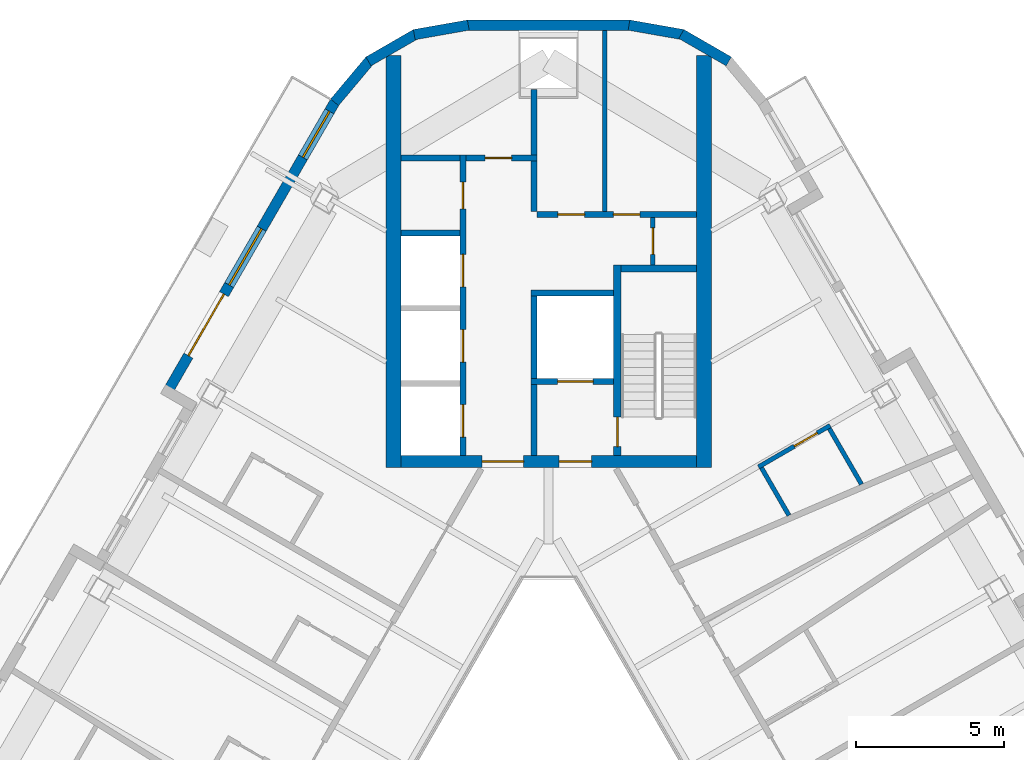
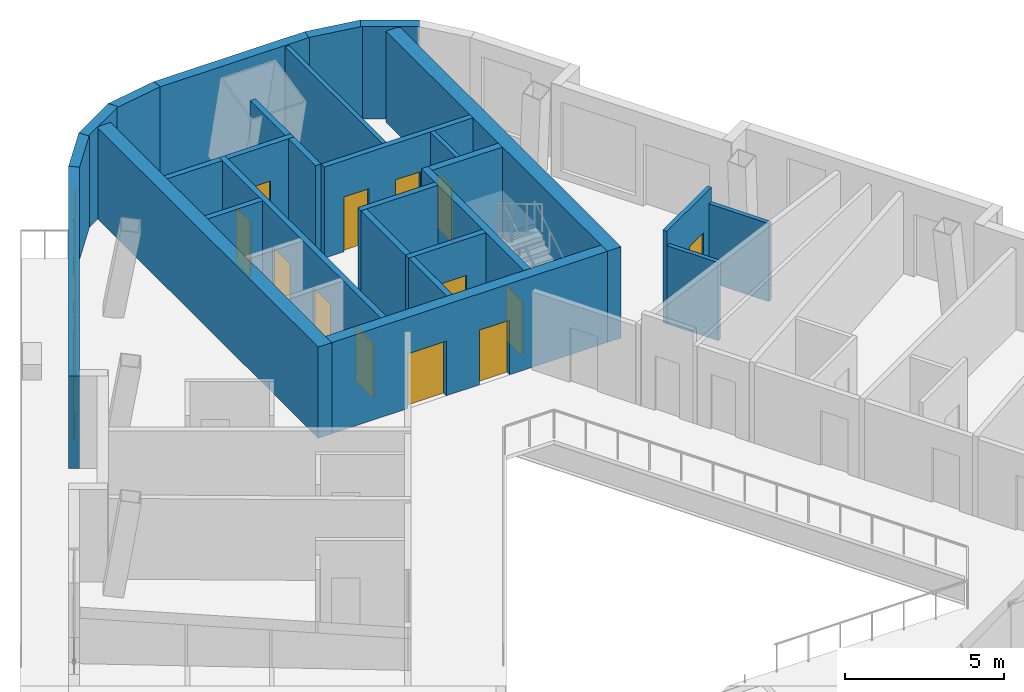
# One storey, part 7 of 14: 28 walls, 14 doors, 2 windows, 16 openings.
"""IFC4 building model written with IfcOpenShell, lengths in metres."""

from ifc_helpers import new_model, si_unit, direction, frame, frame_2d, origin, place, context, subcontext, project, spatial, rectangle, extrude, material, layer, layer_set, type_object, element, fill, save


model = new_model("IFC4")

# Units and contexts
model_context = context("Model", 3, precision=1e-05, world=origin(), true_north=direction((0.0, 1.0)))
body_context = subcontext(model_context, "Body", "Model", "MODEL_VIEW")
ifc_project = project(units=[si_unit("LENGTHUNIT", "METRE"), si_unit("AREAUNIT", "SQUARE_METRE"), si_unit("VOLUMEUNIT", "CUBIC_METRE"), si_unit("PLANEANGLEUNIT", "RADIAN"), si_unit("MASSUNIT", "GRAM", prefix="KILO")], contexts=[model_context])

# Site, building, storey
site_placement = place(None, origin())
site = spatial("IfcSite", under=ifc_project, at=site_placement, CompositionType="ELEMENT")
building_placement = place(site_placement, origin())
building = spatial("IfcBuilding", under=site, at=building_placement, Name="Apuvela Tower Hotel", CompositionType="ELEMENT")
storey_placement = place(building_placement, frame((0.0, 0.0, 265.199951171875)))
storey = spatial("IfcBuildingStorey", under=building, at=storey_placement, Name="L65", CompositionType="ELEMENT", Elevation=265.199951171875)

# Wall, openings, doors
ifc_material_1 = material(Name="Concrete C50/60", Category="concrete")
ifc_layer_1 = layer(ifc_material_1, 0.39990234375)
ifc_layer_set_1 = layer_set([ifc_layer_1], Name="COR-WALL-CORE-400")
wall_type_1 = type_object("IfcWallType", Name="COR-WALL-CORE-400", PredefinedType="SHEAR", material=ifc_layer_set_1)
wall_1_placement = place(storey_placement, frame((5.0, 13.10009765625, 0.0), z_axis=(0.0, 0.0, 1.0), x_axis=(-1.0, 0.0, 0.0)))
wall_1 = element("IfcWall", 1, at=wall_1_placement, inside=storey, type_object=wall_type_1, Name="Core wall N", PredefinedType="SHEAR", context=body_context, shape_type="SweptSolid", body=[
    extrude(rectangle(XDim=10.0, YDim=0.39990234375, at=frame_2d((5.0, 0.0))), origin(), (0.0, 0.0, 1.0), 3.5),
])
opening_1_placement = place(wall_1_placement, frame((3.550048828125, 0.0, 0.0)))
opening_1 = element("IfcOpeningElement", 2, at=opening_1_placement, cuts=wall_1, Name="Opening N-FD", PredefinedType="OPENING", context=body_context, shape_type="SweptSolid", body=[
    extrude(rectangle(XDim=1.10009765625, YDim=2.10009765625, at=frame_2d((0.550048828125, 1.050048828125))), frame((0.0, 0.2099609375, 0.0), z_axis=(0.0, -1.0, 0.0), x_axis=(1.0, 0.0, 0.0)), (0.0, 0.0, 1.0), 0.419921875),
])
opening_2_placement = place(wall_1_placement, frame((5.85009765625, 0.0, 0.0)))
opening_2 = element("IfcOpeningElement", 3, at=opening_2_placement, cuts=wall_1, Name="Opening N-GD", PredefinedType="OPENING", context=body_context, shape_type="SweptSolid", body=[
    extrude(rectangle(XDim=1.39990234375, YDim=2.10009765625, at=frame_2d((0.699951171875, 1.050048828125))), frame((0.0, 0.2099609375, 0.0), z_axis=(0.0, -1.0, 0.0), x_axis=(1.0, 0.0, 0.0)), (0.0, 0.0, 1.0), 0.419921875),
])
ifc_material_2 = material(Name="Steel fire door, powder coated", Category="steel")
door_type_1 = type_object("IfcDoorType", Name="COR-FD-1100", OperationType="NOTDEFINED", PredefinedType="DOOR", material=ifc_material_2)
door_1_placement = place(opening_1_placement, frame((1.10009765625, 0.0, 0.0), z_axis=(0.0, 0.0, 1.0), x_axis=(-1.0, 0.0, 0.0)))
door_1 = element("IfcDoor", 4, at=door_1_placement, inside=storey, type_object=door_type_1, Name="Firefighting lobby door N-FD", OperationType="SINGLE_SWING_LEFT", OverallHeight=2.10009765625, OverallWidth=1.10009765625, PredefinedType="DOOR", context=body_context, shape_type="SweptSolid", body=[
    extrude(rectangle(XDim=1.10009765625, YDim=2.10009765625, at=frame_2d((0.550048828125, 1.050048828125))), frame((0.0, 0.02490234375, 0.0), z_axis=(0.0, -1.0, 0.0), x_axis=(1.0, 0.0, 0.0)), (0.0, 0.0, 1.0), 0.050048828125),
])
fill(opening_1, door_1)
ifc_material_3 = material(Name="Glazed steel fire door", Category="steel")
door_type_2 = type_object("IfcDoorType", Name="COR-GD-1400", OperationType="DOUBLE_DOOR_SINGLE_SWING", PredefinedType="DOOR", material=ifc_material_3)
door_2_placement = place(opening_2_placement, frame((1.39990234375, 0.0, 0.0), z_axis=(0.0, 0.0, 1.0), x_axis=(-1.0, 0.0, 0.0)))
door_2 = element("IfcDoor", 5, at=door_2_placement, inside=storey, type_object=door_type_2, Name="Lift lobby door N-GD", OperationType="DOUBLE_DOOR_SINGLE_SWING", OverallHeight=2.10009765625, OverallWidth=1.39990234375, PredefinedType="DOOR", context=body_context, shape_type="SweptSolid", body=[
    extrude(rectangle(XDim=1.39990234375, YDim=2.10009765625, at=frame_2d((0.699951171875, 1.050048828125))), frame((0.0, 0.02490234375, 0.0), z_axis=(0.0, -1.0, 0.0), x_axis=(1.0, 0.0, 0.0)), (0.0, 0.0, 1.0), 0.050048828125),
])
fill(opening_2, door_2)

# Walls
ifc_layer_2 = layer(ifc_material_1, 0.5)
ifc_layer_set_2 = layer_set([ifc_layer_2], Name="COR-WALL-CORE-500")
wall_type_2 = type_object("IfcWallType", Name="COR-WALL-CORE-500", PredefinedType="SHEAR", material=ifc_layer_set_2)
for number, where, z_axis, x_axis, name in (
    (6, (5.25, 12.89990234375, 0.0), (0.0, 0.0, 1.0), (0.0, 1.0, 0.0), "Core wall N"),
    (7, (-5.25, 12.89990234375, 0.0), (0.0, 0.0, 1.0), (0.0, 1.0, 0.0), "Core wall N"),
):
    element("IfcWall", number, at=place(storey_placement, frame(where, z_axis=z_axis, x_axis=x_axis)), inside=storey, type_object=wall_type_2, Name=name, PredefinedType="SHEAR", context=body_context, shape_type="SweptSolid", body=[
        extrude(rectangle(XDim=13.93408203125, YDim=0.5, at=frame_2d((6.967041015625, 0.0))), origin(), (0.0, 0.0, 1.0), 3.5),
    ])

# Wall, opening, door
ifc_material_4 = material(Name="Blockwork 150 mm plastered", Category="masonry")
ifc_layer_3 = layer(ifc_material_4, 0.14990234375)
ifc_layer_set_3 = layer_set([ifc_layer_3], Name="COR-WALL-PART-150")
wall_type_3 = type_object("IfcWallType", Name="COR-WALL-PART-150", PredefinedType="PARTITIONING", material=ifc_layer_set_3)
wall_2_placement = place(storey_placement, frame((3.52490234375, 19.75, 0.0), z_axis=(0.0, 0.0, 1.0), x_axis=(0.0, 1.0, 0.0)))
wall_2 = element("IfcWall", 8, at=wall_2_placement, inside=storey, type_object=wall_type_3, Name="Partition N", PredefinedType="PARTITIONING", context=body_context, shape_type="SweptSolid", body=[
    extrude(rectangle(XDim=1.60009765625, YDim=0.14990234375, at=frame_2d((0.800048828125, 0.0))), origin(), (0.0, 0.0, 1.0), 3.5),
])
opening_3_placement = place(wall_2_placement, frame((0.35009765625, 0.0, 0.0)))
opening_3 = element("IfcOpeningElement", 9, at=opening_3_placement, cuts=wall_2, Name="Opening N-RD", PredefinedType="OPENING", context=body_context, shape_type="SweptSolid", body=[
    extrude(rectangle(XDim=0.89990234375, YDim=2.10009765625, at=frame_2d((0.449951171875, 1.050048828125))), frame((0.0, 0.0849609375, 0.0), z_axis=(0.0, -1.0, 0.0), x_axis=(1.0, 0.0, 0.0)), (0.0, 0.0, 1.0), 0.169921875),
])
ifc_material_5 = material(Name="Steel access door, powder coated", Category="steel")
door_type_3 = type_object("IfcDoorType", Name="COR-RD-900", OperationType="NOTDEFINED", PredefinedType="DOOR", material=ifc_material_5)
door_3_placement = place(opening_3_placement, frame((0.89990234375, 0.0, 0.0), z_axis=(0.0, 0.0, 1.0), x_axis=(-1.0, 0.0, 0.0)))
door_3 = element("IfcDoor", 10, at=door_3_placement, inside=storey, type_object=door_type_3, Name="Riser door N-RD", OperationType="SINGLE_SWING_RIGHT", OverallHeight=2.10009765625, OverallWidth=0.89990234375, PredefinedType="DOOR", context=body_context, shape_type="SweptSolid", body=[
    extrude(rectangle(XDim=0.89990234375, YDim=2.10009765625, at=frame_2d((0.449951171875, 1.050048828125))), frame((0.0, 0.02490234375, 0.0), z_axis=(0.0, -1.0, 0.0), x_axis=(1.0, 0.0, 0.0)), (0.0, 0.0, 1.0), 0.050048828125),
])
fill(opening_3, door_3)

# Wall
wall_3_placement = place(storey_placement, frame((1.89990234375, 21.550048828125, 0.0), z_axis=(0.0, 0.0, 1.0), x_axis=(0.0, 1.0, 0.0)))
element("IfcWall", 11, at=wall_3_placement, inside=storey, type_object=wall_type_3, Name="Partition N", PredefinedType="PARTITIONING", context=body_context, shape_type="SweptSolid", body=[
    extrude(rectangle(XDim=6.126220703125, YDim=0.14990234375, at=frame_2d((3.06298828125, 0.0))), origin(), (0.0, 0.0, 1.0), 3.5),
])

# Wall, openings, doors
ifc_material_6 = material(Name="Blockwork 200 mm plastered", Category="masonry")
ifc_layer_4 = layer(ifc_material_6, 0.199951171875)
ifc_layer_set_4 = layer_set([ifc_layer_4], Name="COR-WALL-PART-200")
wall_type_4 = type_object("IfcWallType", Name="COR-WALL-PART-200", PredefinedType="PARTITIONING", material=ifc_layer_set_4)
wall_4_placement = place(storey_placement, frame((5.0, 21.449951171875, 0.0), z_axis=(0.0, 0.0, 1.0), x_axis=(-1.0, 0.0, 0.0)))
wall_4 = element("IfcWall", 12, at=wall_4_placement, inside=storey, type_object=wall_type_4, Name="Partition N", PredefinedType="PARTITIONING", context=body_context, shape_type="SweptSolid", body=[
    extrude(rectangle(XDim=5.39990234375, YDim=0.199951171875, at=frame_2d((2.699951171875, 0.0))), origin(), (0.0, 0.0, 1.0), 3.5),
])
opening_4_placement = place(wall_4_placement, frame((1.91259765625, 0.0, 0.0)))
opening_4 = element("IfcOpeningElement", 13, at=opening_4_placement, cuts=wall_4, Name="Opening N-RS1", PredefinedType="OPENING", context=body_context, shape_type="SweptSolid", body=[
    extrude(rectangle(XDim=0.89990234375, YDim=2.10009765625, at=frame_2d((0.449951171875, 1.050048828125))), frame((0.0, 0.10986328125, 0.0), z_axis=(0.0, -1.0, 0.0), x_axis=(1.0, 0.0, 0.0)), (0.0, 0.0, 1.0), 0.219970703125),
])
opening_5_placement = place(wall_4_placement, frame((3.78759765625, 0.0, 0.0)))
opening_5 = element("IfcOpeningElement", 14, at=opening_5_placement, cuts=wall_4, Name="Opening N-RS2", PredefinedType="OPENING", context=body_context, shape_type="SweptSolid", body=[
    extrude(rectangle(XDim=0.89990234375, YDim=2.10009765625, at=frame_2d((0.449951171875, 1.050048828125))), frame((0.0, 0.10986328125, 0.0), z_axis=(0.0, -1.0, 0.0), x_axis=(1.0, 0.0, 0.0)), (0.0, 0.0, 1.0), 0.219970703125),
])
door_type_4 = type_object("IfcDoorType", Name="COR-DR-900", OperationType="NOTDEFINED", PredefinedType="DOOR", material=ifc_material_2)
door_4_placement = place(opening_4_placement, frame((0.89990234375, 0.0, 0.0), z_axis=(0.0, 0.0, 1.0), x_axis=(-1.0, 0.0, 0.0)))
door_4 = element("IfcDoor", 15, at=door_4_placement, inside=storey, type_object=door_type_4, Name="Store door N-RS1", OperationType="SINGLE_SWING_LEFT", OverallHeight=2.10009765625, OverallWidth=0.89990234375, PredefinedType="DOOR", context=body_context, shape_type="SweptSolid", body=[
    extrude(rectangle(XDim=0.89990234375, YDim=2.10009765625, at=frame_2d((0.449951171875, 1.050048828125))), frame((0.0, 0.02490234375, 0.0), z_axis=(0.0, -1.0, 0.0), x_axis=(1.0, 0.0, 0.0)), (0.0, 0.0, 1.0), 0.050048828125),
])
fill(opening_4, door_4)
door_5_placement = place(opening_5_placement, frame((0.89990234375, 0.0, 0.0), z_axis=(0.0, 0.0, 1.0), x_axis=(-1.0, 0.0, 0.0)))
door_5 = element("IfcDoor", 16, at=door_5_placement, inside=storey, type_object=door_type_4, Name="Store door N-RS2", OperationType="SINGLE_SWING_RIGHT", OverallHeight=2.10009765625, OverallWidth=0.89990234375, PredefinedType="DOOR", context=body_context, shape_type="SweptSolid", body=[
    extrude(rectangle(XDim=0.89990234375, YDim=2.10009765625, at=frame_2d((0.449951171875, 1.050048828125))), frame((0.0, 0.02490234375, 0.0), z_axis=(0.0, -1.0, 0.0), x_axis=(1.0, 0.0, 0.0)), (0.0, 0.0, 1.0), 0.050048828125),
])
fill(opening_5, door_5)

# Wall
ifc_layer_5 = layer(ifc_material_1, 0.199951171875)
ifc_layer_set_5 = layer_set([ifc_layer_5], Name="COR-WALL-SHAFT-200")
wall_type_5 = type_object("IfcWallType", Name="COR-WALL-SHAFT-200", PredefinedType="SHEAR", material=ifc_layer_set_5)
wall_5_placement = place(storey_placement, frame((2.199951171875, 18.800048828125, 0.0), z_axis=(0.0, 0.0, 1.0), x_axis=(-1.0, 0.0, 0.0)))
element("IfcWall", 17, at=wall_5_placement, inside=storey, type_object=wall_type_5, Name="Shaft wall N", PredefinedType="SHEAR", context=body_context, shape_type="SweptSolid", body=[
    extrude(rectangle(XDim=2.800048828125, YDim=0.199951171875, at=frame_2d((1.39990234375, 0.0))), origin(), (0.0, 0.0, 1.0), 3.5),
])

# Wall, opening, door
wall_6_placement = place(storey_placement, frame((2.199951171875, 15.800048828125, 0.0), z_axis=(0.0, 0.0, 1.0), x_axis=(-1.0, 0.0, 0.0)))
wall_6 = element("IfcWall", 18, at=wall_6_placement, inside=storey, type_object=wall_type_5, Name="Shaft wall N", PredefinedType="SHEAR", context=body_context, shape_type="SweptSolid", body=[
    extrude(rectangle(XDim=2.800048828125, YDim=0.199951171875, at=frame_2d((1.39990234375, 0.0))), origin(), (0.0, 0.0, 1.0), 3.5),
])
opening_6_placement = place(wall_6_placement, frame((0.699951171875, 0.0, 0.0)))
opening_6 = element("IfcOpeningElement", 19, at=opening_6_placement, cuts=wall_6, Name="Opening N-LD-FS1", PredefinedType="OPENING", context=body_context, shape_type="SweptSolid", body=[
    extrude(rectangle(XDim=1.199951171875, YDim=2.10009765625, at=frame_2d((0.60009765625, 1.050048828125))), frame((0.0, 0.10986328125, 0.0), z_axis=(0.0, -1.0, 0.0), x_axis=(1.0, 0.0, 0.0)), (0.0, 0.0, 1.0), 0.219970703125),
])
ifc_material_7 = material(Name="Stainless steel lift landing door", Category="steel")
door_type_5 = type_object("IfcDoorType", Name="COR-LD-1200", OperationType="DOUBLE_DOOR_SLIDING", PredefinedType="DOOR", material=ifc_material_7)
door_6_placement = place(opening_6_placement, origin())
door_6 = element("IfcDoor", 20, at=door_6_placement, inside=storey, type_object=door_type_5, Name="Lift landing door N-LD-FS1", OperationType="DOUBLE_DOOR_SLIDING", OverallHeight=2.10009765625, OverallWidth=1.199951171875, PredefinedType="DOOR", context=body_context, shape_type="SweptSolid", body=[
    extrude(rectangle(XDim=1.199951171875, YDim=2.10009765625, at=frame_2d((0.60009765625, 1.050048828125))), frame((0.0, 0.02490234375, 0.0), z_axis=(0.0, -1.0, 0.0), x_axis=(1.0, 0.0, 0.0)), (0.0, 0.0, 1.0), 0.050048828125),
])
fill(opening_6, door_6)

# Walls
wall_7_placement = place(storey_placement, frame((-0.5, 15.89990234375, 0.0), z_axis=(0.0, 0.0, 1.0), x_axis=(0.0, 1.0, 0.0)))
element("IfcWall", 21, at=wall_7_placement, inside=storey, type_object=wall_type_5, Name="Shaft wall N", PredefinedType="SHEAR", context=body_context, shape_type="SweptSolid", body=[
    extrude(rectangle(XDim=2.800048828125, YDim=0.199951171875, at=frame_2d((1.39990234375, 0.0))), origin(), (0.0, 0.0, 1.0), 3.5),
])
wall_8_placement = place(storey_placement, frame((-0.5, 13.300048828125, 0.0), z_axis=(0.0, 0.0, 1.0), x_axis=(0.0, 1.0, 0.0)))
element("IfcWall", 22, at=wall_8_placement, inside=storey, type_object=wall_type_5, Name="Shaft wall N", PredefinedType="SHEAR", context=body_context, shape_type="SweptSolid", body=[
    extrude(rectangle(XDim=2.39990234375, YDim=0.199951171875, at=frame_2d((1.199951171875, 0.0))), origin(), (0.0, 0.0, 1.0), 3.5),
])

# Wall, openings, doors
wall_9_placement = place(storey_placement, frame((-2.89990234375, 13.300048828125, 0.0), z_axis=(0.0, 0.0, 1.0), x_axis=(0.0, 1.0, 0.0)))
wall_9 = element("IfcWall", 23, at=wall_9_placement, inside=storey, type_object=wall_type_5, Name="Shaft wall N", PredefinedType="SHEAR", context=body_context, shape_type="SweptSolid", body=[
    extrude(rectangle(XDim=10.159912109375, YDim=0.199951171875, at=frame_2d((5.080078125, 0.0))), origin(), (0.0, 0.0, 1.0), 3.5),
])
opening_7_placement = place(wall_9_placement, frame((0.6201171875, 0.0, 0.0)))
opening_7 = element("IfcOpeningElement", 24, at=opening_7_placement, cuts=wall_9, Name="Opening N-LD-HR1", PredefinedType="OPENING", context=body_context, shape_type="SweptSolid", body=[
    extrude(rectangle(XDim=1.10009765625, YDim=2.10009765625, at=frame_2d((0.550048828125, 1.050048828125))), frame((0.0, 0.10986328125, 0.0), z_axis=(0.0, -1.0, 0.0), x_axis=(1.0, 0.0, 0.0)), (0.0, 0.0, 1.0), 0.219970703125),
])
opening_8_placement = place(wall_9_placement, frame((3.159912109375, 0.0, 0.0)))
opening_8 = element("IfcOpeningElement", 25, at=opening_8_placement, cuts=wall_9, Name="Opening N-LD-HR2", PredefinedType="OPENING", context=body_context, shape_type="SweptSolid", body=[
    extrude(rectangle(XDim=1.10009765625, YDim=2.10009765625, at=frame_2d((0.550048828125, 1.050048828125))), frame((0.0, 0.10986328125, 0.0), z_axis=(0.0, -1.0, 0.0), x_axis=(1.0, 0.0, 0.0)), (0.0, 0.0, 1.0), 0.219970703125),
])
opening_9_placement = place(wall_9_placement, frame((5.699951171875, 0.0, 0.0)))
opening_9 = element("IfcOpeningElement", 26, at=opening_9_placement, cuts=wall_9, Name="Opening N-LD-HR4", PredefinedType="OPENING", context=body_context, shape_type="SweptSolid", body=[
    extrude(rectangle(XDim=1.10009765625, YDim=2.10009765625, at=frame_2d((0.550048828125, 1.050048828125))), frame((0.0, 0.10986328125, 0.0), z_axis=(0.0, -1.0, 0.0), x_axis=(1.0, 0.0, 0.0)), (0.0, 0.0, 1.0), 0.219970703125),
])
opening_10_placement = place(wall_9_placement, frame((8.340087890625, 0.0, 0.0)))
opening_10 = element("IfcOpeningElement", 27, at=opening_10_placement, cuts=wall_9, Name="Opening N-RE4", PredefinedType="OPENING", context=body_context, shape_type="SweptSolid", body=[
    extrude(rectangle(XDim=0.89990234375, YDim=2.10009765625, at=frame_2d((0.449951171875, 1.050048828125))), frame((0.0, 0.10986328125, 0.0), z_axis=(0.0, -1.0, 0.0), x_axis=(1.0, 0.0, 0.0)), (0.0, 0.0, 1.0), 0.219970703125),
])
door_7_placement = place(opening_10_placement, origin())
door_7 = element("IfcDoor", 28, at=door_7_placement, inside=storey, type_object=door_type_4, Name="Store door N-RE4", OperationType="SINGLE_SWING_LEFT", OverallHeight=2.10009765625, OverallWidth=0.89990234375, PredefinedType="DOOR", context=body_context, shape_type="SweptSolid", body=[
    extrude(rectangle(XDim=0.89990234375, YDim=2.10009765625, at=frame_2d((0.449951171875, 1.050048828125))), frame((0.0, 0.02490234375, 0.0), z_axis=(0.0, -1.0, 0.0), x_axis=(1.0, 0.0, 0.0)), (0.0, 0.0, 1.0), 0.050048828125),
])
fill(opening_10, door_7)
door_type_6 = type_object("IfcDoorType", Name="COR-LD-1100", OperationType="DOUBLE_DOOR_SLIDING", PredefinedType="DOOR", material=ifc_material_7)
door_8_placement = place(opening_7_placement, origin())
door_8 = element("IfcDoor", 29, at=door_8_placement, inside=storey, type_object=door_type_6, Name="Lift landing door N-LD-HR1", OperationType="DOUBLE_DOOR_SLIDING", OverallHeight=2.10009765625, OverallWidth=1.10009765625, PredefinedType="DOOR", context=body_context, shape_type="SweptSolid", body=[
    extrude(rectangle(XDim=1.10009765625, YDim=2.10009765625, at=frame_2d((0.550048828125, 1.050048828125))), frame((0.0, 0.02490234375, 0.0), z_axis=(0.0, -1.0, 0.0), x_axis=(1.0, 0.0, 0.0)), (0.0, 0.0, 1.0), 0.050048828125),
])
fill(opening_7, door_8)
door_9_placement = place(opening_8_placement, origin())
door_9 = element("IfcDoor", 30, at=door_9_placement, inside=storey, type_object=door_type_6, Name="Lift landing door N-LD-HR2", OperationType="DOUBLE_DOOR_SLIDING", OverallHeight=2.10009765625, OverallWidth=1.10009765625, PredefinedType="DOOR", context=body_context, shape_type="SweptSolid", body=[
    extrude(rectangle(XDim=1.10009765625, YDim=2.10009765625, at=frame_2d((0.550048828125, 1.050048828125))), frame((0.0, 0.02490234375, 0.0), z_axis=(0.0, -1.0, 0.0), x_axis=(1.0, 0.0, 0.0)), (0.0, 0.0, 1.0), 0.050048828125),
])
fill(opening_8, door_9)
door_10_placement = place(opening_9_placement, origin())
door_10 = element("IfcDoor", 31, at=door_10_placement, inside=storey, type_object=door_type_6, Name="Lift landing door N-LD-HR4", OperationType="DOUBLE_DOOR_SLIDING", OverallHeight=2.10009765625, OverallWidth=1.10009765625, PredefinedType="DOOR", context=body_context, shape_type="SweptSolid", body=[
    extrude(rectangle(XDim=1.10009765625, YDim=2.10009765625, at=frame_2d((0.550048828125, 1.050048828125))), frame((0.0, 0.02490234375, 0.0), z_axis=(0.0, -1.0, 0.0), x_axis=(1.0, 0.0, 0.0)), (0.0, 0.0, 1.0), 0.050048828125),
])
fill(opening_9, door_10)

# Wall, opening, door
wall_10_placement = place(storey_placement, frame((-0.39990234375, 23.360107421875, 0.0), z_axis=(0.0, 0.0, 1.0), x_axis=(-1.0, 0.0, 0.0)))
wall_10 = element("IfcWall", 32, at=wall_10_placement, inside=storey, type_object=wall_type_5, Name="Shaft wall N", PredefinedType="SHEAR", context=body_context, shape_type="SweptSolid", body=[
    extrude(rectangle(XDim=2.400146484375, YDim=0.199951171875, at=frame_2d((1.2001953125, 0.0))), origin(), (0.0, 0.0, 1.0), 3.5),
])
opening_11_placement = place(wall_10_placement, frame((0.85009765625, 0.0, 0.0)))
opening_11 = element("IfcOpeningElement", 33, at=opening_11_placement, cuts=wall_10, Name="Opening N-REP", PredefinedType="OPENING", context=body_context, shape_type="SweptSolid", body=[
    extrude(rectangle(XDim=0.89990234375, YDim=2.10009765625, at=frame_2d((0.449951171875, 1.050048828125))), frame((0.0, 0.10986328125, 0.0), z_axis=(0.0, -1.0, 0.0), x_axis=(1.0, 0.0, 0.0)), (0.0, 0.0, 1.0), 0.219970703125),
])
door_11_placement = place(opening_11_placement, frame((0.89990234375, 0.0, 0.0), z_axis=(0.0, 0.0, 1.0), x_axis=(-1.0, 0.0, 0.0)))
door_11 = element("IfcDoor", 34, at=door_11_placement, inside=storey, type_object=door_type_4, Name="Store door N-REP", OperationType="SINGLE_SWING_LEFT", OverallHeight=2.10009765625, OverallWidth=0.89990234375, PredefinedType="DOOR", context=body_context, shape_type="SweptSolid", body=[
    extrude(rectangle(XDim=0.89990234375, YDim=2.10009765625, at=frame_2d((0.449951171875, 1.050048828125))), frame((0.0, 0.02490234375, 0.0), z_axis=(0.0, -1.0, 0.0), x_axis=(1.0, 0.0, 0.0)), (0.0, 0.0, 1.0), 0.050048828125),
])
fill(opening_11, door_11)

# Walls
wall_11_placement = place(storey_placement, frame((-0.5, 21.550048828125, 0.0), z_axis=(0.0, 0.0, 1.0), x_axis=(0.0, 1.0, 0.0)))
element("IfcWall", 35, at=wall_11_placement, inside=storey, type_object=wall_type_5, Name="Shaft wall N", PredefinedType="SHEAR", context=body_context, shape_type="SweptSolid", body=[
    extrude(rectangle(XDim=1.7099609375, YDim=0.199951171875, at=frame_2d((0.85498046875, 0.0))), origin(), (0.0, 0.0, 1.0), 3.5),
])
for number, where, z_axis, x_axis, name in (
    (36, (-3.0, 20.820068359375, 0.0), (0.0, 0.0, 1.0), (-1.0, 0.0, 0.0), "Shaft wall N"),
    (37, (-3.0, 23.360107421875, 0.0), (0.0, 0.0, 1.0), (-1.0, 0.0, 0.0), "Shaft wall N"),
):
    element("IfcWall", number, at=place(storey_placement, frame(where, z_axis=z_axis, x_axis=x_axis)), inside=storey, type_object=wall_type_5, Name=name, PredefinedType="SHEAR", context=body_context, shape_type="SweptSolid", body=[
        extrude(rectangle(XDim=2.0, YDim=0.199951171875, at=frame_2d((1.0, 0.0))), origin(), (0.0, 0.0, 1.0), 3.5),
    ])
wall_12_placement = place(storey_placement, frame((-0.5, 23.4599609375, 0.0), z_axis=(0.0, 0.0, 1.0), x_axis=(0.0, 1.0, 0.0)))
element("IfcWall", 38, at=wall_12_placement, inside=storey, type_object=wall_type_5, Name="Shaft wall N", PredefinedType="SHEAR", context=body_context, shape_type="SweptSolid", body=[
    extrude(rectangle(XDim=2.21630859375, YDim=0.199951171875, at=frame_2d((1.108154296875, 0.0))), origin(), (0.0, 0.0, 1.0), 3.5),
])

# Wall, opening, door
ifc_layer_6 = layer(ifc_material_1, 0.25)
ifc_layer_set_6 = layer_set([ifc_layer_6], Name="COR-WALL-STAIR-250")
wall_type_6 = type_object("IfcWallType", Name="COR-WALL-STAIR-250", PredefinedType="SHEAR", material=ifc_layer_set_6)
wall_13_placement = place(storey_placement, frame((2.324951171875, 13.300048828125, 0.0), z_axis=(0.0, 0.0, 1.0), x_axis=(0.0, 1.0, 0.0)))
wall_13 = element("IfcWall", 39, at=wall_13_placement, inside=storey, type_object=wall_type_6, Name="Stair wall N", PredefinedType="SHEAR", context=body_context, shape_type="SweptSolid", body=[
    extrude(rectangle(XDim=6.449951171875, YDim=0.25, at=frame_2d((3.22509765625, 0.0))), origin(), (0.0, 0.0, 1.0), 3.5),
])
opening_12_placement = place(wall_13_placement, frame((0.300048828125, 0.0, 0.0)))
opening_12 = element("IfcOpeningElement", 40, at=opening_12_placement, cuts=wall_13, Name="Opening N-SD", PredefinedType="OPENING", context=body_context, shape_type="SweptSolid", body=[
    extrude(rectangle(XDim=1.0, YDim=2.10009765625, at=frame_2d((0.5, 1.050048828125))), frame((0.0, 0.135009765625, 0.0), z_axis=(0.0, -1.0, 0.0), x_axis=(1.0, 0.0, 0.0)), (0.0, 0.0, 1.0), 0.27001953125),
])
door_type_7 = type_object("IfcDoorType", Name="COR-SD-1000", OperationType="NOTDEFINED", PredefinedType="DOOR", material=ifc_material_2)
door_12_placement = place(opening_12_placement, frame((1.0, 0.0, 0.0), z_axis=(0.0, 0.0, 1.0), x_axis=(-1.0, 0.0, 0.0)))
door_12 = element("IfcDoor", 41, at=door_12_placement, inside=storey, type_object=door_type_7, Name="Stair door N-SD", OperationType="SINGLE_SWING_LEFT", OverallHeight=2.10009765625, OverallWidth=1.0, PredefinedType="DOOR", context=body_context, shape_type="SweptSolid", body=[
    extrude(rectangle(XDim=1.0, YDim=2.10009765625, at=frame_2d((0.5, 1.050048828125))), frame((0.0, 0.02490234375, 0.0), z_axis=(0.0, -1.0, 0.0), x_axis=(1.0, 0.0, 0.0)), (0.0, 0.0, 1.0), 0.050048828125),
])
fill(opening_12, door_12)

# Wall
wall_14_placement = place(storey_placement, frame((5.0, 19.625, 0.0), z_axis=(0.0, 0.0, 1.0), x_axis=(-1.0, 0.0, 0.0)))
element("IfcWall", 42, at=wall_14_placement, inside=storey, type_object=wall_type_6, Name="Stair wall N", PredefinedType="SHEAR", context=body_context, shape_type="SweptSolid", body=[
    extrude(rectangle(XDim=2.550048828125, YDim=0.25, at=frame_2d((1.27490234375, 0.0))), origin(), (0.0, 0.0, 1.0), 3.5),
])

# Wall, openings, door, windows
ifc_material_8 = material(Name="Concrete C40/50, dark pigmented precast panel", Category="concrete")
ifc_layer_7 = layer(ifc_material_8, 0.35009765625)
ifc_layer_set_7 = layer_set([ifc_layer_7], Name="ENV-WALL-350")
wall_type_7 = type_object("IfcWallType", Name="ENV-WALL-350", PredefinedType="SOLIDWALL", material=ifc_layer_set_7)
wall_15_placement = place(storey_placement, frame((-7.22119140625, 25.268310546875, 0.0), z_axis=(0.0, 0.0, 1.0), x_axis=(-0.499999932627, -0.866025442683, 0.0)))
wall_15 = element("IfcWall", 43, at=wall_15_placement, inside=storey, type_object=wall_type_7, Name="External wall L65-01", PredefinedType="SOLIDWALL", context=body_context, shape_type="SweptSolid", body=[
    extrude(rectangle(XDim=11.50048828125, YDim=0.35009765625, at=frame_2d((5.750244140625, 0.0))), origin(), (0.0, 0.0, 1.0), 3.550048828125),
])
opening_13_placement = place(wall_15_placement, frame((0.380615234375, 0.0, 0.300048828125)))
opening_13 = element("IfcOpeningElement", 44, at=opening_13_placement, cuts=wall_15, Name="Opening WN18", PredefinedType="OPENING", context=body_context, shape_type="SweptSolid", body=[
    extrude(rectangle(XDim=1.800048828125, YDim=2.64990234375, at=frame_2d((0.89990234375, 1.324951171875))), frame((0.0, 0.18505859375, 0.0), z_axis=(0.0, -1.0, 0.0), x_axis=(1.0, 0.0, 0.0)), (0.0, 0.0, 1.0), 0.3701171875),
])
opening_14_placement = place(wall_15_placement, frame((7.5205078125, 0.0, 0.0)))
opening_14 = element("IfcOpeningElement", 45, at=opening_14_placement, cuts=wall_15, Name="Opening BD24", PredefinedType="OPENING", context=body_context, shape_type="SweptSolid", body=[
    extrude(rectangle(XDim=2.39990234375, YDim=2.39990234375, at=frame_2d((1.199951171875, 1.199951171875))), frame((0.0, 0.18505859375, 0.0), z_axis=(0.0, -1.0, 0.0), x_axis=(1.0, 0.0, 0.0)), (0.0, 0.0, 1.0), 0.3701171875),
])
opening_15_placement = place(wall_15_placement, frame((4.96435546875, 0.0, 0.300048828125)))
opening_15 = element("IfcOpeningElement", 46, at=opening_15_placement, cuts=wall_15, Name="Opening WN22", PredefinedType="OPENING", context=body_context, shape_type="SweptSolid", body=[
    extrude(rectangle(XDim=2.199951171875, YDim=2.64990234375, at=frame_2d((1.10009765625, 1.324951171875))), frame((0.0, 0.18505859375, 0.0), z_axis=(0.0, -1.0, 0.0), x_axis=(1.0, 0.0, 0.0)), (0.0, 0.0, 1.0), 0.3701171875),
])
ifc_material_9 = material(Name="Aluminium 6063-T6, dark bronze anodised frame with dark tinted laminated glass", Category="aluminium")
door_type_8 = type_object("IfcDoorType", Name="ENV-DOOR-BALCONY-2400x2400", OperationType="SLIDING_TO_LEFT", PredefinedType="DOOR", material=ifc_material_9)
door_13_placement = place(opening_14_placement, frame((2.39990234375, 0.0, 0.0), z_axis=(0.0, 0.0, 1.0), x_axis=(-1.0, 0.0, 0.0)))
door_13 = element("IfcDoor", 47, at=door_13_placement, inside=storey, type_object=door_type_8, Name="Balcony door BD24", OperationType="SLIDING_TO_LEFT", OverallHeight=2.39990234375, OverallWidth=2.39990234375, PredefinedType="DOOR", context=body_context, shape_type="SweptSolid", body=[
    extrude(rectangle(XDim=2.39990234375, YDim=2.39990234375, at=frame_2d((1.199951171875, 1.199951171875))), frame((0.0, 0.02490234375, 0.0), z_axis=(0.0, -1.0, 0.0), x_axis=(1.0, 0.0, 0.0)), (0.0, 0.0, 1.0), 0.050048828125),
])
fill(opening_14, door_13)
ifc_material_10 = material(Name="Glass, dark tinted laminated insulated glazing unit", Category="glass")
window_type_1 = type_object("IfcWindowType", Name="ENV-WIN-1800x2650", PartitioningType="SINGLE_PANEL", PredefinedType="WINDOW", material=ifc_material_10)
window_1_placement = place(opening_13_placement, origin())
window_1 = element("IfcWindow", 48, at=window_1_placement, inside=storey, type_object=window_type_1, Name="Window WN18", OverallHeight=2.64990234375, OverallWidth=1.800048828125, PartitioningType="SINGLE_PANEL", PredefinedType="WINDOW", context=body_context, shape_type="SweptSolid", body=[
    extrude(rectangle(XDim=1.800048828125, YDim=2.64990234375, at=frame_2d((0.89990234375, 1.324951171875))), frame((0.0, 0.030029296875, 0.0), z_axis=(0.0, -1.0, 0.0), x_axis=(1.0, 0.0, 0.0)), (0.0, 0.0, 1.0), 0.06005859375),
])
fill(opening_13, window_1)
window_type_2 = type_object("IfcWindowType", Name="ENV-WIN-2200x2650", PartitioningType="SINGLE_PANEL", PredefinedType="WINDOW", material=ifc_material_10)
window_2_placement = place(opening_15_placement, origin())
window_2 = element("IfcWindow", 49, at=window_2_placement, inside=storey, type_object=window_type_2, Name="Window WN22", OverallHeight=2.64990234375, OverallWidth=2.199951171875, PartitioningType="SINGLE_PANEL", PredefinedType="WINDOW", context=body_context, shape_type="SweptSolid", body=[
    extrude(rectangle(XDim=2.199951171875, YDim=2.64990234375, at=frame_2d((1.10009765625, 1.324951171875))), frame((0.0, 0.030029296875, 0.0), z_axis=(0.0, -1.0, 0.0), x_axis=(1.0, 0.0, 0.0)), (0.0, 0.0, 1.0), 0.06005859375),
])
fill(opening_15, window_2)

# Walls
wall_16_placement = place(storey_placement, frame((6.093017578125, 26.625244140625, 0.0), z_axis=(0.0, 0.0, 1.0), x_axis=(-0.866080385203, 0.499904757295, 0.0)))
element("IfcWall", 50, at=wall_16_placement, inside=storey, type_object=wall_type_7, Name="External wall L65-43", PredefinedType="SOLIDWALL", context=body_context, shape_type="SweptSolid", body=[
    extrude(rectangle(XDim=1.854736328125, YDim=0.35009765625, at=frame_2d((0.92724609375, 0.0))), origin(), (0.0, 0.0, 1.0), 3.550048828125),
])
wall_17_placement = place(storey_placement, frame((4.543701171875, 27.53173828125, 0.0), z_axis=(0.0, 0.0, 1.0), x_axis=(-0.984795480386, 0.173717764815, 0.0)))
element("IfcWall", 51, at=wall_17_placement, inside=storey, type_object=wall_type_7, Name="External wall L65-44", PredefinedType="SOLIDWALL", context=body_context, shape_type="SweptSolid", body=[
    extrude(rectangle(XDim=1.855224609375, YDim=0.35009765625, at=frame_2d((0.927734375, 0.0))), origin(), (0.0, 0.0, 1.0), 3.550048828125),
])
wall_18_placement = place(storey_placement, frame((2.747314453125, 27.851318359375, 0.0), z_axis=(0.0, 0.0, 1.0), x_axis=(-1.0, 0.0, 0.0)))
element("IfcWall", 52, at=wall_18_placement, inside=storey, type_object=wall_type_7, Name="External wall L65-45", PredefinedType="SOLIDWALL", context=body_context, shape_type="SweptSolid", body=[
    extrude(rectangle(XDim=5.49462890625, YDim=0.35009765625, at=frame_2d((2.747314453125, 0.0))), origin(), (0.0, 0.0, 1.0), 3.550048828125),
])
wall_19_placement = place(storey_placement, frame((-2.716796875, 27.85400390625, 0.0), z_axis=(0.0, 0.0, 1.0), x_axis=(-0.984795480386, -0.173717764815, 0.0)))
element("IfcWall", 53, at=wall_19_placement, inside=storey, type_object=wall_type_7, Name="External wall L65-46", PredefinedType="SOLIDWALL", context=body_context, shape_type="SweptSolid", body=[
    extrude(rectangle(XDim=1.855224609375, YDim=0.35009765625, at=frame_2d((0.927734375, 0.0))), origin(), (0.0, 0.0, 1.0), 3.550048828125),
])
wall_20_placement = place(storey_placement, frame((-4.486572265625, 27.552490234375, 0.0), z_axis=(0.0, 0.0, 1.0), x_axis=(-0.866080385203, -0.499904757295, 0.0)))
element("IfcWall", 54, at=wall_20_placement, inside=storey, type_object=wall_type_7, Name="External wall L65-47", PredefinedType="SOLIDWALL", context=body_context, shape_type="SweptSolid", body=[
    extrude(rectangle(XDim=1.854736328125, YDim=0.35009765625, at=frame_2d((0.92724609375, 0.0))), origin(), (0.0, 0.0, 1.0), 3.550048828125),
])
wall_21_placement = place(storey_placement, frame((-6.04638671875, 26.664306640625, 0.0), z_axis=(0.0, 0.0, 1.0), x_axis=(-0.642756798522, -0.7660702957, 0.0)))
element("IfcWall", 55, at=wall_21_placement, inside=storey, type_object=wall_type_7, Name="External wall L65-48", PredefinedType="SOLIDWALL", context=body_context, shape_type="SweptSolid", body=[
    extrude(rectangle(XDim=1.855224609375, YDim=0.35009765625, at=frame_2d((0.927734375, 0.0))), origin(), (0.0, 0.0, 1.0), 3.550048828125),
])

# Wall, opening, door
ifc_material_11 = material(Name="Moisture-resistant gypsum board wet wall on steel stud", Category="steel")
ifc_layer_8 = layer(ifc_material_11, 0.14990234375)
ifc_layer_set_8 = layer_set([ifc_layer_8], Name="GST-PW3")
wall_type_8 = type_object("IfcWallType", Name="GST-PW3", PredefinedType="PARTITIONING", material=ifc_layer_set_8)
wall_22_placement = place(storey_placement, frame((9.518798828125, 14.31298828125, 0.0), z_axis=(0.0, 0.0, 1.0), x_axis=(-0.865996816683, -0.500049511043, 0.0)))
wall_22 = element("IfcWall", 56, at=wall_22_placement, inside=storey, type_object=wall_type_8, Name="L65 partition 35", PredefinedType="PARTITIONING", context=body_context, shape_type="SweptSolid", body=[
    extrude(rectangle(XDim=2.800048828125, YDim=0.14990234375, at=frame_2d((1.39990234375, 0.0))), origin(), (0.0, 0.0, 1.0), 3.550048828125),
])
opening_16_placement = place(wall_22_placement, frame((0.5, 0.0, 0.0)))
opening_16 = element("IfcOpeningElement", 57, at=opening_16_placement, cuts=wall_22, Name="Opening GD25-15", PredefinedType="OPENING", context=body_context, shape_type="SweptSolid", body=[
    extrude(rectangle(XDim=0.89990234375, YDim=2.10009765625, at=frame_2d((0.449951171875, 1.050048828125))), frame((0.0, 0.0849609375, 0.0), z_axis=(0.0, -1.0, 0.0), x_axis=(1.0, 0.0, 0.0)), (0.0, 0.0, 1.0), 0.169921875),
])
ifc_material_12 = material(Name="Timber door leaf in steel frame", Category="steel")
door_type_9 = type_object("IfcDoorType", Name="GST-D2", OperationType="NOTDEFINED", PredefinedType="DOOR", material=ifc_material_12)
door_14_placement = place(opening_16_placement, origin())
door_14 = element("IfcDoor", 58, at=door_14_placement, inside=storey, type_object=door_type_9, Name="Door L65-15", OperationType="SINGLE_SWING_LEFT", OverallHeight=2.10009765625, OverallWidth=0.89990234375, PredefinedType="DOOR", context=body_context, shape_type="SweptSolid", body=[
    extrude(rectangle(XDim=0.89990234375, YDim=2.10009765625, at=frame_2d((0.449951171875, 1.050048828125))), frame((0.0, 0.02490234375, 0.0), z_axis=(0.0, -1.0, 0.0), x_axis=(1.0, 0.0, 0.0)), (0.0, 0.0, 1.0), 0.050048828125),
])
fill(opening_16, door_14)

# Walls
wall_23_placement = place(storey_placement, frame((10.5791015625, 12.326416015625, 0.0), z_axis=(0.0, 0.0, 1.0), x_axis=(-0.499965319569, 0.866045425615, 0.0)))
element("IfcWall", 59, at=wall_23_placement, inside=storey, type_object=wall_type_8, Name="L65 partition 36", PredefinedType="PARTITIONING", context=body_context, shape_type="SweptSolid", body=[
    extrude(rectangle(XDim=2.175537109375, YDim=0.14990234375, at=frame_2d((1.087890625, 0.0))), origin(), (0.0, 0.0, 1.0), 3.0),
])
wall_24_placement = place(storey_placement, frame((8.1259765625, 11.275634765625, 0.0), z_axis=(0.0, 0.0, 1.0), x_axis=(-0.500093796661, 0.865971243484, 0.0)))
element("IfcWall", 60, at=wall_24_placement, inside=storey, type_object=wall_type_8, Name="L65 partition 37", PredefinedType="PARTITIONING", context=body_context, shape_type="SweptSolid", body=[
    extrude(rectangle(XDim=1.859130859375, YDim=0.14990234375, at=frame_2d((0.9296875, 0.0))), origin(), (0.0, 0.0, 1.0), 3.0),
])

save(model, "model.ifc")
